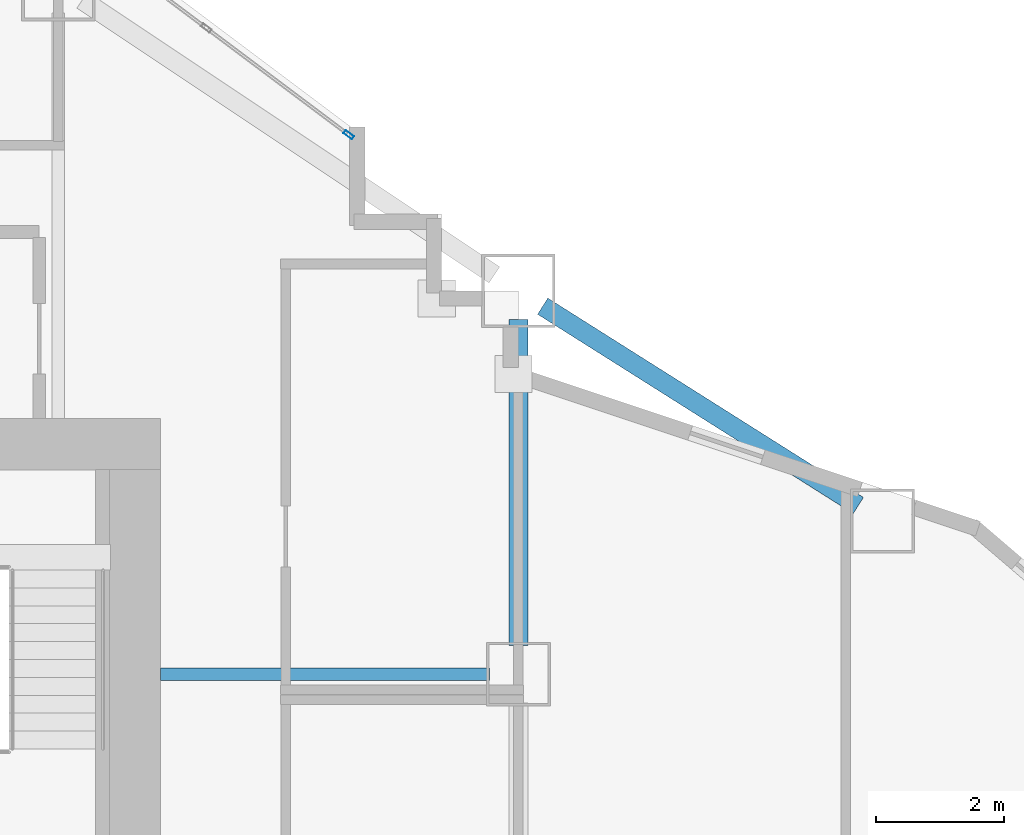
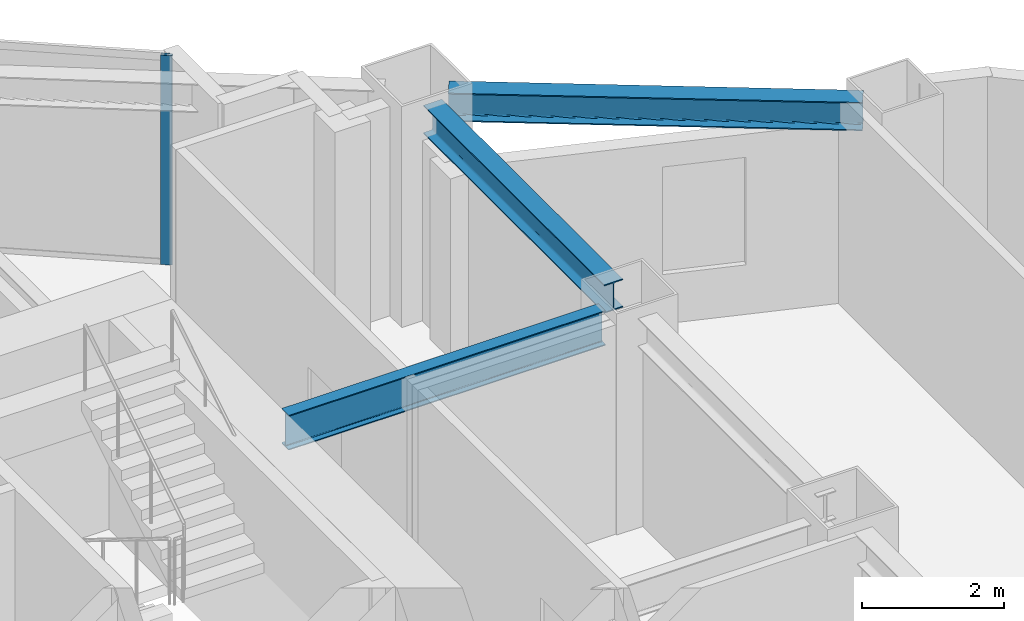
# One storey, part 5 of 15: 3 beams, 1 member, 1 element without a shape of its own.
"""IFC4 building model written with IfcOpenShell, lengths in metres."""

import ifcopenshell
import ifcopenshell.guid

model = None  # the IFC model being written
_history = None  # IfcOwnerHistory: only IFC2X3 demands one
_inside = {}  # id of a spatial element -> (the spatial element, [elements in it])
_under = {}  # id of a project, library or spatial element -> (it, [spatial elements below it])
_declared = {}  # id of a project -> (the project, [libraries it declares])
_typed = {}  # id of a type object -> (the type object, [elements of that type])
_made_of = {}  # id of a material, layer set ... -> (it, [elements and type objects made of it])


def new_model(schema):
    """Start an empty IFC model of exactly this schema.

    Asked for "IFC4X3", IfcOpenShell would pick the latest addendum, in which some entities
    have other attributes; the version numbers below select the first issue.
    IFC2X3 requires an IfcOwnerHistory on every rooted entity: one is made here for all.
    """
    global model, _history
    if schema == "IFC4X3":
        model = ifcopenshell.file(schema_version=(4, 3, 0, 0))
    else:
        model = ifcopenshell.file(schema=schema)
    _inside.clear()
    _under.clear()
    _declared.clear()
    _typed.clear()
    _made_of.clear()
    _history = None
    if model.schema == "IFC2X3":
        org = make("IfcOrganization", Name="unknown")
        user = make(
            "IfcPersonAndOrganization",
            ThePerson=make("IfcPerson", FamilyName="unknown"),
            TheOrganization=org,
        )
        app = make(
            "IfcApplication",
            ApplicationDeveloper=org,
            Version="unknown",
            ApplicationFullName="unknown",
            ApplicationIdentifier="unknown",
        )
        _history = make(
            "IfcOwnerHistory",
            OwningUser=user,
            OwningApplication=app,
            ChangeAction="ADDED",
            CreationDate=0,
        )
    return model


def make(cls, **values):
    """One entity of the class cls with the attributes given. An attribute that is None is left unset."""
    return model.create_entity(
        cls, **{name: value for name, value in values.items() if value is not None}
    )


def rooted(cls, **values):
    """An entity with a GlobalId (a new one), such as an element, a storey or a relation."""
    return make(cls, GlobalId=ifcopenshell.guid.new(), OwnerHistory=_history, **values)


def si_unit(unit_type, name, prefix=None):
    """IfcSIUnit, for example si_unit("LENGTHUNIT", "METRE", prefix="MILLI")."""
    return make("IfcSIUnit", UnitType=unit_type, Prefix=prefix, Name=name)


def assignment(units):
    """IfcUnitAssignment: the units of a project."""
    return None if units is None else make("IfcUnitAssignment", Units=units)


def point(xyz):
    """IfcCartesianPoint."""
    return None if xyz is None else make("IfcCartesianPoint", Coordinates=xyz)


def direction(xyz):
    """IfcDirection."""
    return None if xyz is None else make("IfcDirection", DirectionRatios=xyz)


def frame(location, z_axis=None, x_axis=None):
    """IfcAxis2Placement3D, a coordinate frame: its origin and axes. An axis left out is left unset."""
    return make(
        "IfcAxis2Placement3D",
        Location=point(location),
        Axis=direction(z_axis),
        RefDirection=direction(x_axis),
    )


def frame_2d(location, x_axis=None):
    """IfcAxis2Placement2D, a coordinate frame in the plane: its origin and x axis."""
    return make(
        "IfcAxis2Placement2D", Location=point(location), RefDirection=direction(x_axis)
    )


def origin():
    """The frame at (0, 0, 0) with its axes left unset."""
    return frame((0.0, 0.0, 0.0))


def origin_2d():
    """The frame at (0, 0) in the plane with its x axis left unset."""
    return frame_2d((0.0, 0.0))


def place(relative_to, where):
    """IfcLocalPlacement: puts the frame where relative to a parent placement (None: the world)."""
    return make(
        "IfcLocalPlacement", PlacementRelTo=relative_to, RelativePlacement=where
    )


def context(
    kind, dimensions, precision=None, world=None, true_north=None, identifier=None
):
    """IfcGeometricRepresentationContext, for example the 3D "Model" context."""
    return make(
        "IfcGeometricRepresentationContext",
        ContextIdentifier=identifier,
        ContextType=kind,
        CoordinateSpaceDimension=dimensions,
        Precision=precision,
        WorldCoordinateSystem=world,
        TrueNorth=true_north,
    )


def subcontext(parent, identifier, kind, view, scale=None):
    """IfcGeometricRepresentationSubContext, for example "Body" below "Model"."""
    return make(
        "IfcGeometricRepresentationSubContext",
        ContextIdentifier=identifier,
        ContextType=kind,
        ParentContext=parent,
        TargetScale=scale,
        TargetView=view,
    )


def project(units=None, contexts=None):
    """IfcProject with its units and contexts."""
    return rooted(
        "IfcProject",
        Name="project",
        RepresentationContexts=contexts,
        UnitsInContext=assignment(units),
    )


def spatial(cls, under=None, at=None, **own):
    """A site, building, storey or space (cls), placed at a placement, below another one or the project."""
    s = rooted(cls, ObjectPlacement=at, **own)
    if under is not None:
        _under.setdefault(under.id(), (under, []))[1].append(s)
    return s


def profile(cls, at=None, kind="AREA", **sizes):
    """A parametric profile (cls). Its sizes go by their IFC names, for example OverallWidth=200.0."""
    return make(cls, ProfileType=kind, Position=at, **sizes)


def hollow_rectangle(**sizes):
    """IfcRectangleHollowProfileDef."""
    return profile("IfcRectangleHollowProfileDef", **sizes)


def i_section(**sizes):
    """IfcIShapeProfileDef."""
    return profile("IfcIShapeProfileDef", **sizes)


def extrude(swept, where, along, depth):
    """IfcExtrudedAreaSolid: the profile swept, set in the frame where, extruded along a direction by depth."""
    return make(
        "IfcExtrudedAreaSolid",
        SweptArea=swept,
        Position=where,
        ExtrudedDirection=direction(along),
        Depth=depth,
    )


def shape(context_of_items, identifier, shape_type, items):
    """IfcShapeRepresentation: the items that make up one representation, for example the "Body"."""
    return make(
        "IfcShapeRepresentation",
        ContextOfItems=context_of_items,
        RepresentationIdentifier=identifier,
        RepresentationType=shape_type,
        Items=items,
    )


def material(Name=None, Category=None):
    """IfcMaterial."""
    return make("IfcMaterial", Name=Name, Category=Category)


def layer(
    of_material, thickness, ventilated=None, Name=None, Category=None, Priority=None
):
    """IfcMaterialLayer: one layer of a wall or slab, of a material (None: an air gap)."""
    return make(
        "IfcMaterialLayer",
        Material=of_material,
        LayerThickness=thickness,
        IsVentilated=ventilated,
        Name=Name,
        Category=Category,
        Priority=Priority,
    )


def layer_set(layers, Name=None):
    """IfcMaterialLayerSet."""
    return make("IfcMaterialLayerSet", MaterialLayers=layers, LayerSetName=Name)


def material_profile(
    of_material, cross_section, Name=None, Category=None, Priority=None
):
    """IfcMaterialProfile: a cross section and its material."""
    return make(
        "IfcMaterialProfile",
        Name=Name,
        Material=of_material,
        Profile=cross_section,
        Priority=Priority,
        Category=Category,
    )


def profile_set(profiles, Name=None, composite=None):
    """IfcMaterialProfileSet."""
    return make(
        "IfcMaterialProfileSet",
        Name=Name,
        MaterialProfiles=profiles,
        CompositeProfile=composite,
    )


def made_of(thing, what):
    """Note that an element or type object is made of a material, layer set ...; save() writes the relation."""
    if what is not None:
        _made_of.setdefault(what.id(), (what, []))[1].append(thing)
    return thing


def type_object(cls, material=None, **own):
    """A type object (cls), such as IfcWallType, which elements share."""
    return made_of(rooted(cls, **own), material)


def element(
    cls,
    number,
    at=None,
    inside=None,
    cuts=None,
    type_object=None,
    material=None,
    context=None,
    identifier="Body",
    shape_type=None,
    held_by="IfcProductDefinitionShape",
    body=None,
    shapes=None,
    **own,
):
    """One element of the class cls, such as IfcWall. Its Tag is "e" and its number.

    at: its placement. inside: the storey or other place that contains it. cuts: it is an
    opening in that element (IfcRelVoidsElement). A single representation is given by context,
    identifier, shape_type and body (its items); several are given by shapes. held_by: the class
    of the entity that holds the representations. save() writes the other relations.
    """
    e = rooted(cls, Tag="e%d" % number, ObjectPlacement=at, **own)
    if body is not None:
        shapes = [shape(context, identifier, shape_type, body)]
    if shapes is not None:
        e.Representation = make(held_by, Representations=shapes)
    if inside is not None:
        _inside.setdefault(inside.id(), (inside, []))[1].append(e)
    if cuts is not None:
        rooted(
            "IfcRelVoidsElement", RelatingBuildingElement=cuts, RelatedOpeningElement=e
        )
    if type_object is not None:
        _typed.setdefault(type_object.id(), (type_object, []))[1].append(e)
    return made_of(e, material)


def aggregate(whole, parts):
    """IfcRelAggregates: a whole, such as a stair, and the parts it consists of."""
    return rooted("IfcRelAggregates", RelatingObject=whole, RelatedObjects=parts)


def save(model, path):
    """Write the relations noted so far, then the file.

    IfcRelAggregates (storeys below a building ...), IfcRelContainedInSpatialStructure (elements
    in a storey), IfcRelDefinesByType, IfcRelAssociatesMaterial and IfcRelDeclares: one each for
    every whole, place, type object, material and project.
    """
    for whole, parts in _under.values():
        aggregate(whole, parts)
    for where, things in _inside.values():
        rooted(
            "IfcRelContainedInSpatialStructure",
            RelatedElements=things,
            RelatingStructure=where,
        )
    for kind, things in _typed.values():
        rooted("IfcRelDefinesByType", RelatedObjects=things, RelatingType=kind)
    for what, things in _made_of.values():
        rooted("IfcRelAssociatesMaterial", RelatedObjects=things, RelatingMaterial=what)
    for by, libraries in _declared.values():
        rooted("IfcRelDeclares", RelatingContext=by, RelatedDefinitions=libraries)
    model.write(path)


model = new_model("IFC4")

# Units and contexts
model_context = context("Model", 3, precision=1e-05, world=origin(), true_north=direction((0.0, 1.0)))
body_context = subcontext(model_context, "Body", "Model", "MODEL_VIEW")
ifc_project = project(units=[si_unit("LENGTHUNIT", "METRE"), si_unit("AREAUNIT", "SQUARE_METRE"), si_unit("VOLUMEUNIT", "CUBIC_METRE"), si_unit("PLANEANGLEUNIT", "RADIAN"), si_unit("MASSUNIT", "GRAM", prefix="KILO")], contexts=[model_context])

# Site, building, storey
site_placement = place(None, origin())
site = spatial("IfcSite", under=ifc_project, at=site_placement, CompositionType="ELEMENT")
building_placement = place(site_placement, origin())
building = spatial("IfcBuilding", under=site, at=building_placement, Name="Haolan Belvedere Tower", CompositionType="ELEMENT")
storey_placement = place(building_placement, frame((0.0, 0.0, 70.39990234375)))
storey = spatial("IfcBuildingStorey", under=building, at=storey_placement, Name="L17", CompositionType="ELEMENT", Elevation=70.39990234375)

# Beams
ifc_material_1 = material(Name="Steel Q355B", Category="steel")
ifc_material_profile_1 = material_profile(ifc_material_1, i_section(OverallWidth=0.300048828125, OverallDepth=0.488037109375, WebThickness=0.010986328125, FlangeThickness=0.01806640625, FilletRadius=0.02587890625, at=origin_2d()), Name="Steel Q355B")
ifc_profile_set_1 = profile_set([ifc_material_profile_1], Name="Steel Q355B")
beam_type_1 = type_object("IfcBeamType", Name="BM-HM488x300x11x18", PredefinedType="SPANDREL", material=ifc_profile_set_1)
beam_1_placement = place(storey_placement, frame((52.800048828125, 40.050048828125, 3.356201171875), z_axis=(0.0, 1.0, 0.0), x_axis=(-1.0, 0.0, 0.0)))
element("IfcBeam", 1, at=beam_1_placement, inside=storey, type_object=beam_type_1, Name="L17 spandrel girder TC-T3-E2-MC-T3-NE", PredefinedType="SPANDREL", context=body_context, shape_type="SweptSolid", body=[
    extrude(i_section(OverallWidth=0.300048828125, OverallDepth=0.488037109375, WebThickness=0.010986328125, FlangeThickness=0.01806640625, FilletRadius=0.02587890625, at=origin_2d()), origin(), (0.0, 0.0, 1.0), 5.099853515625),
])
beam_2_placement = place(storey_placement, frame((53.180419921875, 45.359619140625, 3.356201171875), z_axis=(0.845497840649, -0.533978839898, 0.0), x_axis=(0.533978839898, 0.845497840649, 0.0)))
element("IfcBeam", 2, at=beam_2_placement, inside=storey, type_object=beam_type_1, Name="L17 spandrel girder MC-T3-NE-TC-T4-N1", PredefinedType="SPANDREL", context=body_context, shape_type="SweptSolid", body=[
    extrude(i_section(OverallWidth=0.300048828125, OverallDepth=0.488037109375, WebThickness=0.010986328125, FlangeThickness=0.01806640625, FilletRadius=0.02587890625, at=origin_2d()), origin(), (0.0, 0.0, 1.0), 5.841796875),
])
ifc_material_profile_2 = material_profile(ifc_material_1, i_section(OverallWidth=0.199951171875, OverallDepth=0.60009765625, WebThickness=0.010986328125, FlangeThickness=0.01708984375, FilletRadius=0.02197265625, at=origin_2d()), Name="Steel Q355B")
ifc_profile_set_2 = profile_set([ifc_material_profile_2], Name="Steel Q355B")
beam_type_2 = type_object("IfcBeamType", Name="BM-HN600x200x11x17", PredefinedType="BEAM", material=ifc_profile_set_2)
beam_3_placement = place(storey_placement, frame((52.35009765625, 39.60009765625, 3.300048828125), z_axis=(-1.0, 0.0, 0.0), x_axis=(0.0, -1.0, 0.0)))
element("IfcBeam", 3, at=beam_3_placement, inside=storey, type_object=beam_type_2, Name="L17 core tie beam from TC-T3-E2", PredefinedType="BEAM", context=body_context, shape_type="SweptSolid", body=[
    extrude(i_section(OverallWidth=0.199951171875, OverallDepth=0.60009765625, WebThickness=0.010986328125, FlangeThickness=0.01708984375, FilletRadius=0.02197265625, at=origin_2d()), origin(), (0.0, 0.0, 1.0), 5.150146484375),
])

# Curtain wall, member
ifc_material_2 = material(Name="Anodised champagne-silver aluminium 6063-T6 and Low-E glass", Category="aluminium")
ifc_layer = layer(ifc_material_2, 0.1650390625, Name="Anodised champagne-silver aluminium 6063-T6 and Low-E glass")
ifc_layer_set = layer_set([ifc_layer], Name="Anodised champagne-silver aluminium 6063-T6 and Low-E glass")
curtain_wall_type = type_object("IfcCurtainWallType", Name="CW-SYS-02", PredefinedType="NOTDEFINED", material=ifc_layer_set)
curtain_wall_placement = place(storey_placement, origin())
curtain_wall = element("IfcCurtainWall", 4, at=curtain_wall_placement, inside=storey, type_object=curtain_wall_type, Name="L17 CW-SYS-02 ribbon curtain wall 41.1", PredefinedType="NOTDEFINED")
ifc_material_3 = material(Name="Anodised aluminium 6063-T6", Category="aluminium")
ifc_material_profile_3 = material_profile(ifc_material_3, hollow_rectangle(XDim=0.06005859375, YDim=0.1650390625, WallThickness=0.00390625, at=origin_2d()), Name="Anodised aluminium 6063-T6")
ifc_profile_set_3 = profile_set([ifc_material_profile_3], Name="Anodised aluminium 6063-T6")
member_type = type_object("IfcMemberType", Name="CW-SYS-02-MUL", PredefinedType="MULLION", material=ifc_profile_set_3)
member_placement = place(storey_placement, frame((50.14404296875, 48.0419921875, 0.0), z_axis=(0.0, 0.0, 1.0), x_axis=(-0.599994316874, -0.800004262313, 0.0)))
member = element("IfcMember", 5, at=member_placement, type_object=member_type, Name="CW-02 mullion 1", PredefinedType="MULLION", context=body_context, shape_type="SweptSolid", body=[
    extrude(hollow_rectangle(XDim=0.06005859375, YDim=0.1650390625, WallThickness=0.00390625, at=origin_2d()), origin(), (0.0, 0.0, 1.0), 3.60009765625),
])
aggregate(curtain_wall, [member])

save(model, "model.ifc")
